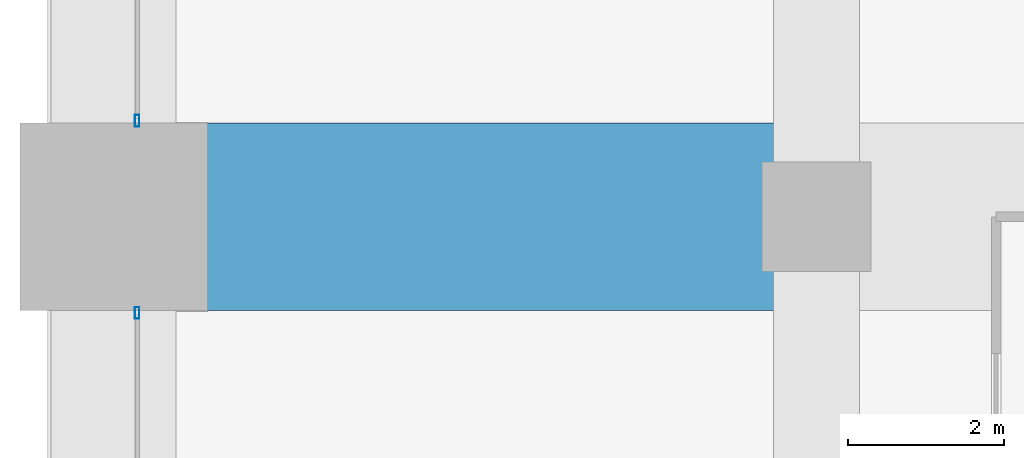
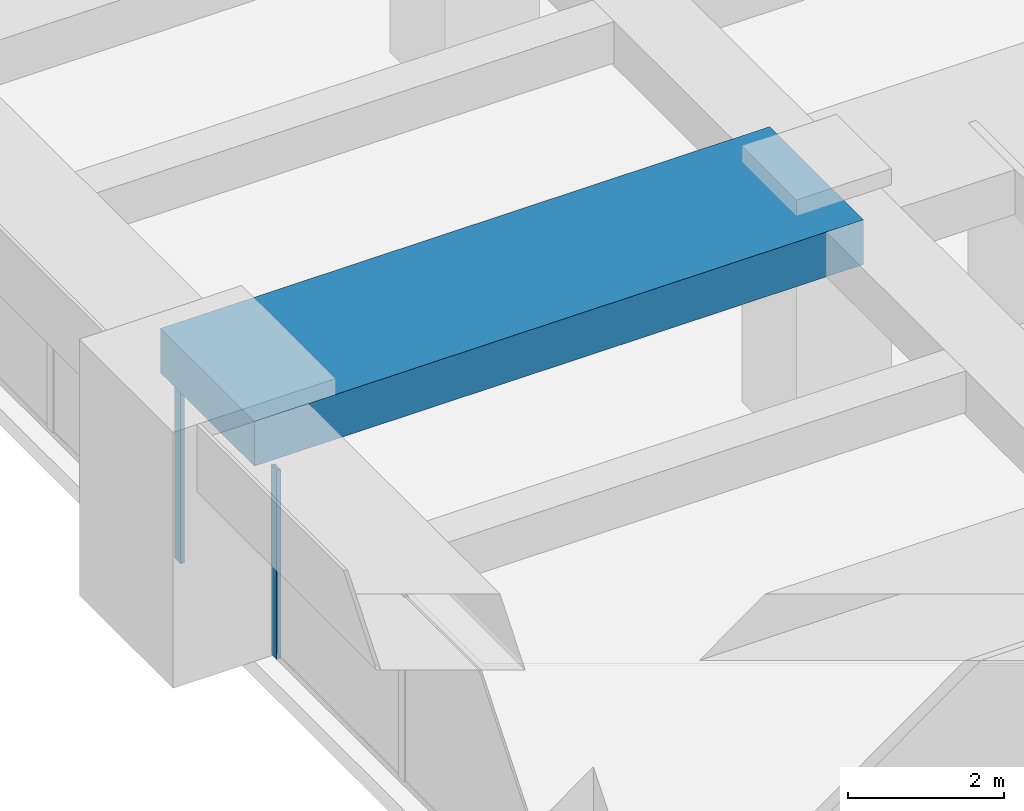
# One storey, part 11 of 34: 2 members, 1 beam, 2 elements without a shape of their own.
"""IFC4 building model written with IfcOpenShell, lengths in metres."""

from ifc_helpers import new_model, si_unit, direction, frame, origin, origin_2d, place, context, subcontext, project, spatial, rectangle, hollow_rectangle, extrude, material, material_profile, profile_set, type_object, element, aggregate, save


model = new_model("IFC4")

# Units and contexts
model_context = context("Model", 3, precision=1e-05, world=origin(), true_north=direction((0.0, 1.0)))
body_context = subcontext(model_context, "Body", "Model", "MODEL_VIEW")
ifc_project = project(units=[si_unit("LENGTHUNIT", "METRE"), si_unit("AREAUNIT", "SQUARE_METRE"), si_unit("VOLUMEUNIT", "CUBIC_METRE"), si_unit("PLANEANGLEUNIT", "RADIAN"), si_unit("MASSUNIT", "GRAM", prefix="KILO")], contexts=[model_context])

# Site, building, storey
site_placement = place(None, origin())
site = spatial("IfcSite", under=ifc_project, at=site_placement, CompositionType="ELEMENT")
building_placement = place(site_placement, origin())
building = spatial("IfcBuilding", under=site, at=building_placement, Name="Zorevar Civic Tower", CompositionType="ELEMENT")
storey_placement = place(building_placement, frame((0.0, 0.0, 226.199951171875)))
storey = spatial("IfcBuildingStorey", under=building, at=storey_placement, Name="L55", CompositionType="ELEMENT", Elevation=226.199951171875)

# Beam
ifc_material_1 = material(Name="Concrete C50/60", Category="concrete")
ifc_material_profile_1 = material_profile(ifc_material_1, rectangle(XDim=2.39990234375, YDim=0.699951171875, at=origin_2d()), Name="RC 2400x700")
ifc_profile_set_1 = profile_set([ifc_material_profile_1], Name="Concrete C50/60")
beam_type = type_object("IfcBeamType", Name="Beam RC 2400x700", PredefinedType="BEAM", material=ifc_profile_set_1)
beam_placement = place(storey_placement, frame((0.0, 27.0, 3.400146484375), z_axis=(1.0, 0.0, 0.0), x_axis=(0.0, 1.0, 0.0)))
element("IfcBeam", 1, at=beam_placement, inside=storey, type_object=beam_type, Name="Girder L56", PredefinedType="BEAM", context=body_context, shape_type="SweptSolid", body=[
    extrude(rectangle(XDim=2.39990234375, YDim=0.699951171875, at=origin_2d()), origin(), (0.0, 0.0, 1.0), 9.0),
])

# Curtain wall, member
ifc_material_2 = material(Name="Dark grey solar-control glass in black aluminium frame", Category="aluminium")
curtain_wall_type = type_object("IfcCurtainWallType", Name="Curtain wall CW4 high zone", PredefinedType="NOTDEFINED", material=ifc_material_2)
curtain_wall_1_placement = place(storey_placement, origin())
curtain_wall_1 = element("IfcCurtainWall", 2, at=curtain_wall_1_placement, inside=storey, type_object=curtain_wall_type, Name="CW4 L55", PredefinedType="NOTDEFINED")
ifc_material_3 = material(Name="Aluminium, black anodised", Category="aluminium")
ifc_material_profile_2 = material_profile(ifc_material_3, hollow_rectangle(XDim=0.06005859375, YDim=0.14990234375, WallThickness=0.00390625, at=origin_2d()), Name="AL 150x60x4")
ifc_profile_set_2 = profile_set([ifc_material_profile_2], Name="Aluminium, black anodised")
member_type = type_object("IfcMemberType", Name="CW4 mullion AL 150x60x4", PredefinedType="MULLION", material=ifc_profile_set_2)
member_1_placement = place(storey_placement, frame((0.300048828125, 25.77001953125, 0.0), z_axis=(0.0, 0.0, 1.0), x_axis=(-1.0, 0.0, 0.0)))
member_1 = element("IfcMember", 3, at=member_1_placement, type_object=member_type, Name="CW4 mullion 3", PredefinedType="MULLION", context=body_context, shape_type="SweptSolid", body=[
    extrude(hollow_rectangle(XDim=0.06005859375, YDim=0.14990234375, WallThickness=0.00390625, at=origin_2d()), origin(), (0.0, 0.0, 1.0), 2.949951171875),
])
aggregate(curtain_wall_1, [member_1])

curtain_wall_2_placement = place(storey_placement, origin())
curtain_wall_2 = element("IfcCurtainWall", 4, at=curtain_wall_2_placement, inside=storey, type_object=curtain_wall_type, Name="CW4 L55", PredefinedType="NOTDEFINED")
member_2_placement = place(storey_placement, frame((0.300048828125, 28.22998046875, 0.0), z_axis=(0.0, 0.0, 1.0), x_axis=(-1.0, 0.0, 0.0)))
member_2 = element("IfcMember", 5, at=member_2_placement, type_object=member_type, Name="CW4 mullion 1", PredefinedType="MULLION", context=body_context, shape_type="SweptSolid", body=[
    extrude(hollow_rectangle(XDim=0.06005859375, YDim=0.14990234375, WallThickness=0.00390625, at=origin_2d()), origin(), (0.0, 0.0, 1.0), 2.949951171875),
])
aggregate(curtain_wall_2, [member_2])

save(model, "model.ifc")
